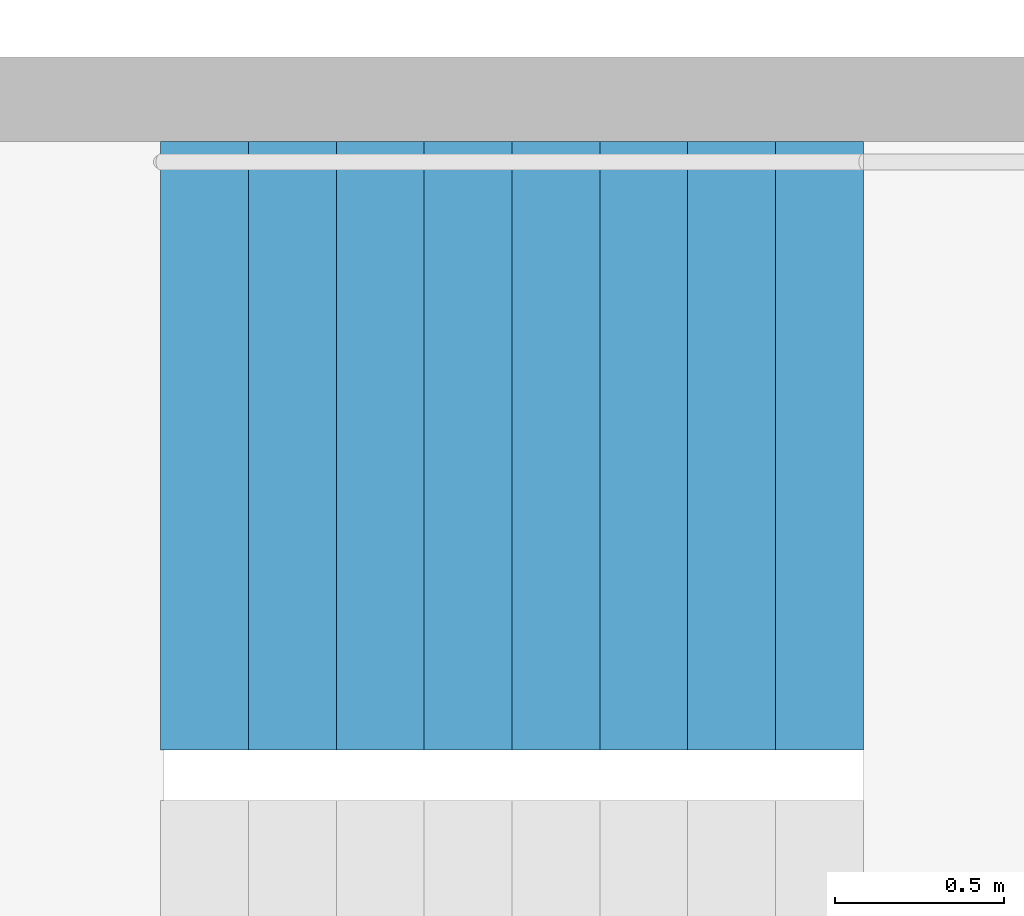
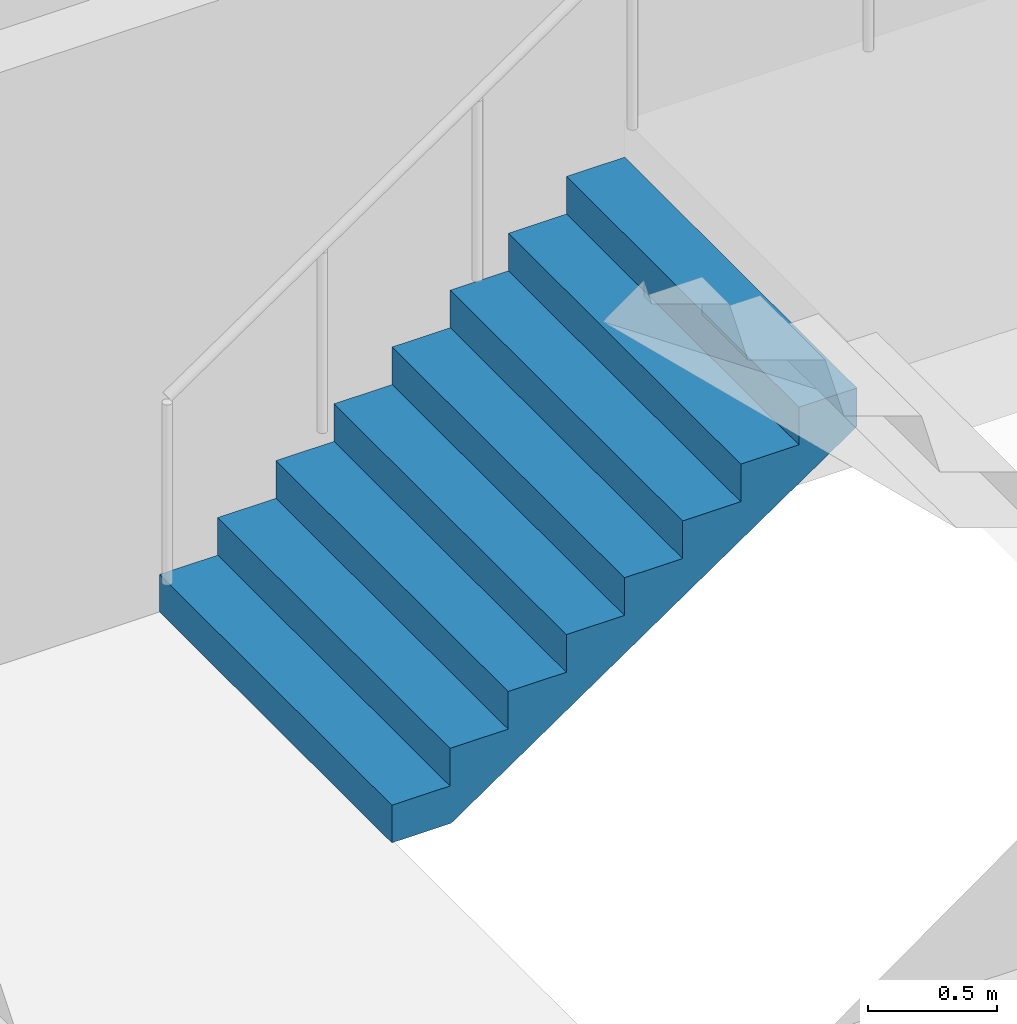
# One storey, part 26 of 36: 1 stair flight, 1 element without a shape of its own.
"""IFC4 building model written with IfcOpenShell, lengths in metres."""

from ifc_helpers import new_model, si_unit, direction, frame, origin, place, context, subcontext, project, spatial, triangles, material, type_object, element, aggregate, save


model = new_model("IFC4")

# Units and contexts
model_context = context("Model", 3, precision=1e-05, world=origin(), true_north=direction((0.0, 1.0)))
body_context = subcontext(model_context, "Body", "Model", "MODEL_VIEW")
ifc_project = project(units=[si_unit("LENGTHUNIT", "METRE"), si_unit("AREAUNIT", "SQUARE_METRE"), si_unit("VOLUMEUNIT", "CUBIC_METRE"), si_unit("PLANEANGLEUNIT", "RADIAN"), si_unit("MASSUNIT", "GRAM", prefix="KILO")], contexts=[model_context])

# Site, building, storey
site_placement = place(None, origin())
site = spatial("IfcSite", under=ifc_project, at=site_placement, CompositionType="ELEMENT")
building_placement = place(site_placement, origin())
building = spatial("IfcBuilding", under=site, at=building_placement, Name="Hakoniwa Tower and Hamabe Station Hall", CompositionType="ELEMENT")
storey_placement = place(building_placement, frame((0.0, 0.0, 26.199951171875)))
storey = spatial("IfcBuildingStorey", under=building, at=storey_placement, Name="L06", CompositionType="ELEMENT", Elevation=26.199951171875)

# Stair, stair flight
ifc_material_1 = material(Name="Concrete C40", Category="concrete")
stair_type = type_object("IfcStairType", Name="ESCAPE STAIR 1800", PredefinedType="HALF_TURN_STAIR", material=ifc_material_1)
stair_placement = place(storey_placement, origin())
stair = element("IfcStair", 1, at=stair_placement, inside=storey, type_object=stair_type, Name="Escape stair ST-4 L06", PredefinedType="HALF_TURN_STAIR")
ifc_material_2 = material(Name="Concrete C40", Category="concrete")
stair_flight_type = type_object("IfcStairFlightType", Name="STAIR FLIGHT 1800", PredefinedType="STRAIGHT", material=ifc_material_2)
stair_flight_placement = place(storey_placement, frame((23.39990234375, -4.64990234375, 0.0), z_axis=(0.0, 0.0, 1.0), x_axis=(1.0, 0.0, 0.0)))
stair_flight = element("IfcStairFlight", 2, at=stair_flight_placement, type_object=stair_flight_type, Name="ST-4 flight 1", NumberOfRisers=9, NumberOfTreads=8, PredefinedType="STRAIGHT", RiserHeight=0.177777778, TreadLength=0.26, context=body_context, shape_type="Tessellation", body=[
    triangles([(0.0, 0.89990234375, 0.0), (0.260009765625, 0.89990234375, 0.0), (0.265625, 0.89990234375, 0.0), (0.52001953125, 0.89990234375, 0.174072265625), (0.780029296875, 0.89990234375, 0.351806640625), (1.0400390625, 0.89990234375, 0.529541015625), (1.300048828125, 0.89990234375, 0.707275390625), (1.56005859375, 0.89990234375, 0.885009765625), (1.820068359375, 0.89990234375, 1.062744140625), (2.080078125, 0.89990234375, 1.24072265625), (2.080078125, 0.89990234375, 1.422119140625), (1.820068359375, 0.89990234375, 1.422119140625), (1.820068359375, 0.89990234375, 1.244384765625), (1.56005859375, 0.89990234375, 1.244384765625), (1.56005859375, 0.89990234375, 1.066650390625), (1.300048828125, 0.89990234375, 1.066650390625), (1.300048828125, 0.89990234375, 0.888916015625), (1.0400390625, 0.89990234375, 0.888916015625), (1.0400390625, 0.89990234375, 0.711181640625), (0.780029296875, 0.89990234375, 0.711181640625), (0.780029296875, 0.89990234375, 0.533447265625), (0.52001953125, 0.89990234375, 0.533447265625), (0.52001953125, 0.89990234375, 0.35546875), (0.265625, 0.89990234375, 0.35546875), (0.260009765625, 0.89990234375, 0.35546875), (0.260009765625, 0.89990234375, 0.177734375), (0.0, 0.89990234375, 0.177734375), (0.0, 0.06005859375, 0.0), (0.260009765625, 0.06005859375, 0.0), (0.265625, 0.06005859375, 0.0), (0.52001953125, 0.06005859375, 0.174072265625), (0.780029296875, 0.06005859375, 0.351806640625), (1.0400390625, 0.06005859375, 0.529541015625), (1.300048828125, 0.06005859375, 0.707275390625), (1.56005859375, 0.06005859375, 0.885009765625), (1.820068359375, 0.06005859375, 1.062744140625), (2.080078125, 0.06005859375, 1.24072265625), (2.080078125, 0.06005859375, 1.422119140625), (1.820068359375, 0.06005859375, 1.422119140625), (1.820068359375, 0.06005859375, 1.244384765625), (1.56005859375, 0.06005859375, 1.244384765625), (1.56005859375, 0.06005859375, 1.066650390625), (1.300048828125, 0.06005859375, 1.066650390625), (1.300048828125, 0.06005859375, 0.888916015625), (1.0400390625, 0.06005859375, 0.888916015625), (1.0400390625, 0.06005859375, 0.711181640625), (0.780029296875, 0.06005859375, 0.711181640625), (0.780029296875, 0.06005859375, 0.533447265625), (0.52001953125, 0.06005859375, 0.533447265625), (0.52001953125, 0.06005859375, 0.35546875), (0.265625, 0.06005859375, 0.35546875), (0.260009765625, 0.06005859375, 0.35546875), (0.260009765625, 0.06005859375, 0.177734375), (0.0, 0.06005859375, 0.177734375), (0.0, 0.04296875, 0.0), (0.260009765625, 0.04296875, 0.0), (0.265625, 0.04296875, 0.0), (0.52001953125, 0.04296875, 0.174072265625), (0.780029296875, 0.04296875, 0.351806640625), (1.0400390625, 0.04296875, 0.529541015625), (1.300048828125, 0.04296875, 0.707275390625), (1.56005859375, 0.04296875, 0.885009765625), (1.820068359375, 0.04296875, 1.062744140625), (2.080078125, 0.04296875, 1.24072265625), (2.080078125, 0.04296875, 1.422119140625), (1.820068359375, 0.04296875, 1.422119140625), (1.820068359375, 0.04296875, 1.244384765625), (1.56005859375, 0.04296875, 1.244384765625), (1.56005859375, 0.04296875, 1.066650390625), (1.300048828125, 0.04296875, 1.066650390625), (1.300048828125, 0.04296875, 0.888916015625), (1.0400390625, 0.04296875, 0.888916015625), (1.0400390625, 0.04296875, 0.711181640625), (0.780029296875, 0.04296875, 0.711181640625), (0.780029296875, 0.04296875, 0.533447265625), (0.52001953125, 0.04296875, 0.533447265625), (0.52001953125, 0.04296875, 0.35546875), (0.265625, 0.04296875, 0.35546875), (0.260009765625, 0.04296875, 0.35546875), (0.260009765625, 0.04296875, 0.177734375), (0.0, 0.04296875, 0.177734375), (0.0, 0.025634765625, 0.0), (0.260009765625, 0.025634765625, 0.0), (0.265625, 0.025634765625, 0.0), (0.52001953125, 0.025634765625, 0.174072265625), (0.780029296875, 0.025634765625, 0.351806640625), (1.0400390625, 0.025634765625, 0.529541015625), (1.300048828125, 0.025634765625, 0.707275390625), (1.56005859375, 0.025634765625, 0.885009765625), (1.820068359375, 0.025634765625, 1.062744140625), (2.080078125, 0.025634765625, 1.24072265625), (2.080078125, 0.025634765625, 1.422119140625), (1.820068359375, 0.025634765625, 1.422119140625), (1.820068359375, 0.025634765625, 1.244384765625), (1.56005859375, 0.025634765625, 1.244384765625), (1.56005859375, 0.025634765625, 1.066650390625), (1.300048828125, 0.025634765625, 1.066650390625), (1.300048828125, 0.025634765625, 0.888916015625), (1.0400390625, 0.025634765625, 0.888916015625), (1.0400390625, 0.025634765625, 0.711181640625), (0.780029296875, 0.025634765625, 0.711181640625), (0.780029296875, 0.025634765625, 0.533447265625), (0.52001953125, 0.025634765625, 0.533447265625), (0.52001953125, 0.025634765625, 0.35546875), (0.265625, 0.025634765625, 0.35546875), (0.260009765625, 0.025634765625, 0.35546875), (0.260009765625, 0.025634765625, 0.177734375), (0.0, 0.025634765625, 0.177734375), (0.0, 0.008544921875, 0.0), (0.260009765625, 0.008544921875, 0.0), (0.265625, 0.008544921875, 0.0), (0.52001953125, 0.008544921875, 0.174072265625), (0.780029296875, 0.008544921875, 0.351806640625), (1.0400390625, 0.008544921875, 0.529541015625), (1.300048828125, 0.008544921875, 0.707275390625), (1.56005859375, 0.008544921875, 0.885009765625), (1.820068359375, 0.008544921875, 1.062744140625), (2.080078125, 0.008544921875, 1.24072265625), (2.080078125, 0.008544921875, 1.422119140625), (1.820068359375, 0.008544921875, 1.422119140625), (1.820068359375, 0.008544921875, 1.244384765625), (1.56005859375, 0.008544921875, 1.244384765625), (1.56005859375, 0.008544921875, 1.066650390625), (1.300048828125, 0.008544921875, 1.066650390625), (1.300048828125, 0.008544921875, 0.888916015625), (1.0400390625, 0.008544921875, 0.888916015625), (1.0400390625, 0.008544921875, 0.711181640625), (0.780029296875, 0.008544921875, 0.711181640625), (0.780029296875, 0.008544921875, 0.533447265625), (0.52001953125, 0.008544921875, 0.533447265625), (0.52001953125, 0.008544921875, 0.35546875), (0.265625, 0.008544921875, 0.35546875), (0.260009765625, 0.008544921875, 0.35546875), (0.260009765625, 0.008544921875, 0.177734375), (0.0, 0.008544921875, 0.177734375), (0.0, -0.008544921875, 0.0), (0.260009765625, -0.008544921875, 0.0), (0.265625, -0.008544921875, 0.0), (0.52001953125, -0.008544921875, 0.174072265625), (0.780029296875, -0.008544921875, 0.351806640625), (1.0400390625, -0.008544921875, 0.529541015625), (1.300048828125, -0.008544921875, 0.707275390625), (1.56005859375, -0.008544921875, 0.885009765625), (1.820068359375, -0.008544921875, 1.062744140625), (2.080078125, -0.008544921875, 1.24072265625), (2.080078125, -0.008544921875, 1.422119140625), (1.820068359375, -0.008544921875, 1.422119140625), (1.820068359375, -0.008544921875, 1.244384765625), (1.56005859375, -0.008544921875, 1.244384765625), (1.56005859375, -0.008544921875, 1.066650390625), (1.300048828125, -0.008544921875, 1.066650390625), (1.300048828125, -0.008544921875, 0.888916015625), (1.0400390625, -0.008544921875, 0.888916015625), (1.0400390625, -0.008544921875, 0.711181640625), (0.780029296875, -0.008544921875, 0.711181640625), (0.780029296875, -0.008544921875, 0.533447265625), (0.52001953125, -0.008544921875, 0.533447265625), (0.52001953125, -0.008544921875, 0.35546875), (0.265625, -0.008544921875, 0.35546875), (0.260009765625, -0.008544921875, 0.35546875), (0.260009765625, -0.008544921875, 0.177734375), (0.0, -0.008544921875, 0.177734375), (0.0, -0.025634765625, 0.0), (0.260009765625, -0.025634765625, 0.0), (0.265625, -0.025634765625, 0.0), (0.52001953125, -0.025634765625, 0.174072265625), (0.780029296875, -0.025634765625, 0.351806640625), (1.0400390625, -0.025634765625, 0.529541015625), (1.300048828125, -0.025634765625, 0.707275390625), (1.56005859375, -0.025634765625, 0.885009765625), (1.820068359375, -0.025634765625, 1.062744140625), (2.080078125, -0.025634765625, 1.24072265625), (2.080078125, -0.025634765625, 1.422119140625), (1.820068359375, -0.025634765625, 1.422119140625), (1.820068359375, -0.025634765625, 1.244384765625), (1.56005859375, -0.025634765625, 1.244384765625), (1.56005859375, -0.025634765625, 1.066650390625), (1.300048828125, -0.025634765625, 1.066650390625), (1.300048828125, -0.025634765625, 0.888916015625), (1.0400390625, -0.025634765625, 0.888916015625), (1.0400390625, -0.025634765625, 0.711181640625), (0.780029296875, -0.025634765625, 0.711181640625), (0.780029296875, -0.025634765625, 0.533447265625), (0.52001953125, -0.025634765625, 0.533447265625), (0.52001953125, -0.025634765625, 0.35546875), (0.265625, -0.025634765625, 0.35546875), (0.260009765625, -0.025634765625, 0.35546875), (0.260009765625, -0.025634765625, 0.177734375), (0.0, -0.025634765625, 0.177734375), (0.0, -0.04296875, 0.0), (0.260009765625, -0.04296875, 0.0), (0.265625, -0.04296875, 0.0), (0.52001953125, -0.04296875, 0.174072265625), (0.780029296875, -0.04296875, 0.351806640625), (1.0400390625, -0.04296875, 0.529541015625), (1.300048828125, -0.04296875, 0.707275390625), (1.56005859375, -0.04296875, 0.885009765625), (1.820068359375, -0.04296875, 1.062744140625), (2.080078125, -0.04296875, 1.24072265625), (2.080078125, -0.04296875, 1.422119140625), (1.820068359375, -0.04296875, 1.422119140625), (1.820068359375, -0.04296875, 1.244384765625), (1.56005859375, -0.04296875, 1.244384765625), (1.56005859375, -0.04296875, 1.066650390625), (1.300048828125, -0.04296875, 1.066650390625), (1.300048828125, -0.04296875, 0.888916015625), (1.0400390625, -0.04296875, 0.888916015625), (1.0400390625, -0.04296875, 0.711181640625), (0.780029296875, -0.04296875, 0.711181640625), (0.780029296875, -0.04296875, 0.533447265625), (0.52001953125, -0.04296875, 0.533447265625), (0.52001953125, -0.04296875, 0.35546875), (0.265625, -0.04296875, 0.35546875), (0.260009765625, -0.04296875, 0.35546875), (0.260009765625, -0.04296875, 0.177734375), (0.0, -0.04296875, 0.177734375), (0.0, -0.06005859375, 0.0), (0.260009765625, -0.06005859375, 0.0), (0.265625, -0.06005859375, 0.0), (0.52001953125, -0.06005859375, 0.174072265625), (0.780029296875, -0.06005859375, 0.351806640625), (1.0400390625, -0.06005859375, 0.529541015625), (1.300048828125, -0.06005859375, 0.707275390625), (1.56005859375, -0.06005859375, 0.885009765625), (1.820068359375, -0.06005859375, 1.062744140625), (2.080078125, -0.06005859375, 1.24072265625), (2.080078125, -0.06005859375, 1.422119140625), (1.820068359375, -0.06005859375, 1.422119140625), (1.820068359375, -0.06005859375, 1.244384765625), (1.56005859375, -0.06005859375, 1.244384765625), (1.56005859375, -0.06005859375, 1.066650390625), (1.300048828125, -0.06005859375, 1.066650390625), (1.300048828125, -0.06005859375, 0.888916015625), (1.0400390625, -0.06005859375, 0.888916015625), (1.0400390625, -0.06005859375, 0.711181640625), (0.780029296875, -0.06005859375, 0.711181640625), (0.780029296875, -0.06005859375, 0.533447265625), (0.52001953125, -0.06005859375, 0.533447265625), (0.52001953125, -0.06005859375, 0.35546875), (0.265625, -0.06005859375, 0.35546875), (0.260009765625, -0.06005859375, 0.35546875), (0.260009765625, -0.06005859375, 0.177734375), (0.0, -0.06005859375, 0.177734375), (0.0, -0.89990234375, 0.0), (0.260009765625, -0.89990234375, 0.0), (0.265625, -0.89990234375, 0.0), (0.52001953125, -0.89990234375, 0.174072265625), (0.780029296875, -0.89990234375, 0.351806640625), (1.0400390625, -0.89990234375, 0.529541015625), (1.300048828125, -0.89990234375, 0.707275390625), (1.56005859375, -0.89990234375, 0.885009765625), (1.820068359375, -0.89990234375, 1.062744140625), (2.080078125, -0.89990234375, 1.24072265625), (2.080078125, -0.89990234375, 1.422119140625), (1.820068359375, -0.89990234375, 1.422119140625), (1.820068359375, -0.89990234375, 1.244384765625), (1.56005859375, -0.89990234375, 1.244384765625), (1.56005859375, -0.89990234375, 1.066650390625), (1.300048828125, -0.89990234375, 1.066650390625), (1.300048828125, -0.89990234375, 0.888916015625), (1.0400390625, -0.89990234375, 0.888916015625), (1.0400390625, -0.89990234375, 0.711181640625), (0.780029296875, -0.89990234375, 0.711181640625), (0.780029296875, -0.89990234375, 0.533447265625), (0.52001953125, -0.89990234375, 0.533447265625), (0.52001953125, -0.89990234375, 0.35546875), (0.265625, -0.89990234375, 0.35546875), (0.260009765625, -0.89990234375, 0.35546875), (0.260009765625, -0.89990234375, 0.177734375), (0.0, -0.89990234375, 0.177734375)], [[2, 27, 26], [245, 269, 270], [2, 1, 27], [245, 270, 244], [3, 25, 24], [246, 267, 268], [3, 26, 25], [246, 268, 269], [3, 2, 26], [246, 269, 245], [4, 24, 23], [247, 266, 267], [4, 3, 24], [247, 267, 246], [5, 22, 21], [248, 264, 265], [5, 23, 22], [248, 265, 266], [5, 4, 23], [248, 266, 247], [6, 20, 19], [249, 262, 263], [6, 21, 20], [249, 263, 264], [6, 5, 21], [249, 264, 248], [7, 18, 17], [250, 260, 261], [7, 19, 18], [250, 261, 262], [7, 6, 19], [250, 262, 249], [8, 16, 15], [251, 258, 259], [8, 17, 16], [251, 259, 260], [8, 7, 17], [251, 260, 250], [9, 14, 13], [252, 256, 257], [9, 15, 14], [252, 257, 258], [9, 8, 15], [252, 258, 251], [10, 12, 11], [253, 254, 255], [10, 13, 12], [253, 255, 256], [10, 9, 13], [253, 256, 252], [1, 2, 29], [1, 29, 28], [28, 29, 56], [28, 56, 55], [55, 56, 83], [55, 83, 82], [82, 83, 110], [82, 110, 109], [109, 110, 137], [109, 137, 136], [136, 137, 164], [136, 164, 163], [163, 164, 191], [163, 191, 190], [190, 191, 218], [190, 218, 217], [217, 218, 245], [217, 245, 244], [2, 3, 30], [2, 30, 29], [29, 30, 57], [29, 57, 56], [56, 57, 84], [56, 84, 83], [83, 84, 111], [83, 111, 110], [110, 111, 138], [110, 138, 137], [137, 138, 165], [137, 165, 164], [164, 165, 192], [164, 192, 191], [191, 192, 219], [191, 219, 218], [218, 219, 246], [218, 246, 245], [3, 4, 31], [3, 31, 30], [30, 31, 58], [30, 58, 57], [57, 58, 85], [57, 85, 84], [84, 85, 112], [84, 112, 111], [111, 112, 139], [111, 139, 138], [138, 139, 166], [138, 166, 165], [165, 166, 193], [165, 193, 192], [192, 193, 220], [192, 220, 219], [219, 220, 247], [219, 247, 246], [4, 5, 32], [4, 32, 31], [31, 32, 59], [31, 59, 58], [58, 59, 86], [58, 86, 85], [85, 86, 113], [85, 113, 112], [112, 113, 140], [112, 140, 139], [139, 140, 167], [139, 167, 166], [166, 167, 194], [166, 194, 193], [193, 194, 221], [193, 221, 220], [220, 221, 248], [220, 248, 247], [5, 6, 33], [5, 33, 32], [32, 33, 60], [32, 60, 59], [59, 60, 87], [59, 87, 86], [86, 87, 114], [86, 114, 113], [113, 114, 141], [113, 141, 140], [140, 141, 168], [140, 168, 167], [167, 168, 195], [167, 195, 194], [194, 195, 222], [194, 222, 221], [221, 222, 249], [221, 249, 248], [6, 7, 34], [6, 34, 33], [33, 34, 61], [33, 61, 60], [60, 61, 88], [60, 88, 87], [87, 88, 115], [87, 115, 114], [114, 115, 142], [114, 142, 141], [141, 142, 169], [141, 169, 168], [168, 169, 196], [168, 196, 195], [195, 196, 223], [195, 223, 222], [222, 223, 250], [222, 250, 249], [7, 8, 35], [7, 35, 34], [34, 35, 62], [34, 62, 61], [61, 62, 89], [61, 89, 88], [88, 89, 116], [88, 116, 115], [115, 116, 143], [115, 143, 142], [142, 143, 170], [142, 170, 169], [169, 170, 197], [169, 197, 196], [196, 197, 224], [196, 224, 223], [223, 224, 251], [223, 251, 250], [8, 9, 36], [8, 36, 35], [35, 36, 63], [35, 63, 62], [62, 63, 90], [62, 90, 89], [89, 90, 117], [89, 117, 116], [116, 117, 144], [116, 144, 143], [143, 144, 171], [143, 171, 170], [170, 171, 198], [170, 198, 197], [197, 198, 225], [197, 225, 224], [224, 225, 252], [224, 252, 251], [9, 10, 37], [9, 37, 36], [36, 37, 64], [36, 64, 63], [63, 64, 91], [63, 91, 90], [90, 91, 118], [90, 118, 117], [117, 118, 145], [117, 145, 144], [144, 145, 172], [144, 172, 171], [171, 172, 199], [171, 199, 198], [198, 199, 226], [198, 226, 225], [225, 226, 253], [225, 253, 252], [10, 11, 38], [10, 38, 37], [37, 38, 65], [37, 65, 64], [64, 65, 92], [64, 92, 91], [91, 92, 119], [91, 119, 118], [118, 119, 146], [118, 146, 145], [145, 146, 173], [145, 173, 172], [172, 173, 200], [172, 200, 199], [199, 200, 227], [199, 227, 226], [226, 227, 254], [226, 254, 253], [11, 12, 39], [11, 39, 38], [38, 39, 66], [38, 66, 65], [65, 66, 93], [65, 93, 92], [92, 93, 120], [92, 120, 119], [119, 120, 147], [119, 147, 146], [146, 147, 174], [146, 174, 173], [173, 174, 201], [173, 201, 200], [200, 201, 228], [200, 228, 227], [227, 228, 255], [227, 255, 254], [12, 13, 40], [12, 40, 39], [39, 40, 67], [39, 67, 66], [66, 67, 94], [66, 94, 93], [93, 94, 121], [93, 121, 120], [120, 121, 148], [120, 148, 147], [147, 148, 175], [147, 175, 174], [174, 175, 202], [174, 202, 201], [201, 202, 229], [201, 229, 228], [228, 229, 256], [228, 256, 255], [13, 14, 41], [13, 41, 40], [40, 41, 68], [40, 68, 67], [67, 68, 95], [67, 95, 94], [94, 95, 122], [94, 122, 121], [121, 122, 149], [121, 149, 148], [148, 149, 176], [148, 176, 175], [175, 176, 203], [175, 203, 202], [202, 203, 230], [202, 230, 229], [229, 230, 257], [229, 257, 256], [14, 15, 42], [14, 42, 41], [41, 42, 69], [41, 69, 68], [68, 69, 96], [68, 96, 95], [95, 96, 123], [95, 123, 122], [122, 123, 150], [122, 150, 149], [149, 150, 177], [149, 177, 176], [176, 177, 204], [176, 204, 203], [203, 204, 231], [203, 231, 230], [230, 231, 258], [230, 258, 257], [15, 16, 43], [15, 43, 42], [42, 43, 70], [42, 70, 69], [69, 70, 97], [69, 97, 96], [96, 97, 124], [96, 124, 123], [123, 124, 151], [123, 151, 150], [150, 151, 178], [150, 178, 177], [177, 178, 205], [177, 205, 204], [204, 205, 232], [204, 232, 231], [231, 232, 259], [231, 259, 258], [16, 17, 44], [16, 44, 43], [43, 44, 71], [43, 71, 70], [70, 71, 98], [70, 98, 97], [97, 98, 125], [97, 125, 124], [124, 125, 152], [124, 152, 151], [151, 152, 179], [151, 179, 178], [178, 179, 206], [178, 206, 205], [205, 206, 233], [205, 233, 232], [232, 233, 260], [232, 260, 259], [17, 18, 45], [17, 45, 44], [44, 45, 72], [44, 72, 71], [71, 72, 99], [71, 99, 98], [98, 99, 126], [98, 126, 125], [125, 126, 153], [125, 153, 152], [152, 153, 180], [152, 180, 179], [179, 180, 207], [179, 207, 206], [206, 207, 234], [206, 234, 233], [233, 234, 261], [233, 261, 260], [18, 19, 46], [18, 46, 45], [45, 46, 73], [45, 73, 72], [72, 73, 100], [72, 100, 99], [99, 100, 127], [99, 127, 126], [126, 127, 154], [126, 154, 153], [153, 154, 181], [153, 181, 180], [180, 181, 208], [180, 208, 207], [207, 208, 235], [207, 235, 234], [234, 235, 262], [234, 262, 261], [19, 20, 47], [19, 47, 46], [46, 47, 74], [46, 74, 73], [73, 74, 101], [73, 101, 100], [100, 101, 128], [100, 128, 127], [127, 128, 155], [127, 155, 154], [154, 155, 182], [154, 182, 181], [181, 182, 209], [181, 209, 208], [208, 209, 236], [208, 236, 235], [235, 236, 263], [235, 263, 262], [20, 21, 48], [20, 48, 47], [47, 48, 75], [47, 75, 74], [74, 75, 102], [74, 102, 101], [101, 102, 129], [101, 129, 128], [128, 129, 156], [128, 156, 155], [155, 156, 183], [155, 183, 182], [182, 183, 210], [182, 210, 209], [209, 210, 237], [209, 237, 236], [236, 237, 264], [236, 264, 263], [21, 22, 49], [21, 49, 48], [48, 49, 76], [48, 76, 75], [75, 76, 103], [75, 103, 102], [102, 103, 130], [102, 130, 129], [129, 130, 157], [129, 157, 156], [156, 157, 184], [156, 184, 183], [183, 184, 211], [183, 211, 210], [210, 211, 238], [210, 238, 237], [237, 238, 265], [237, 265, 264], [22, 23, 50], [22, 50, 49], [49, 50, 77], [49, 77, 76], [76, 77, 104], [76, 104, 103], [103, 104, 131], [103, 131, 130], [130, 131, 158], [130, 158, 157], [157, 158, 185], [157, 185, 184], [184, 185, 212], [184, 212, 211], [211, 212, 239], [211, 239, 238], [238, 239, 266], [238, 266, 265], [23, 24, 51], [23, 51, 50], [50, 51, 78], [50, 78, 77], [77, 78, 105], [77, 105, 104], [104, 105, 132], [104, 132, 131], [131, 132, 159], [131, 159, 158], [158, 159, 186], [158, 186, 185], [185, 186, 213], [185, 213, 212], [212, 213, 240], [212, 240, 239], [239, 240, 267], [239, 267, 266], [24, 25, 52], [24, 52, 51], [51, 52, 79], [51, 79, 78], [78, 79, 106], [78, 106, 105], [105, 106, 133], [105, 133, 132], [132, 133, 160], [132, 160, 159], [159, 160, 187], [159, 187, 186], [186, 187, 214], [186, 214, 213], [213, 214, 241], [213, 241, 240], [240, 241, 268], [240, 268, 267], [25, 26, 53], [25, 53, 52], [52, 53, 80], [52, 80, 79], [79, 80, 107], [79, 107, 106], [106, 107, 134], [106, 134, 133], [133, 134, 161], [133, 161, 160], [160, 161, 188], [160, 188, 187], [187, 188, 215], [187, 215, 214], [214, 215, 242], [214, 242, 241], [241, 242, 269], [241, 269, 268], [26, 27, 54], [26, 54, 53], [53, 54, 81], [53, 81, 80], [80, 81, 108], [80, 108, 107], [107, 108, 135], [107, 135, 134], [134, 135, 162], [134, 162, 161], [161, 162, 189], [161, 189, 188], [188, 189, 216], [188, 216, 215], [215, 216, 243], [215, 243, 242], [242, 243, 270], [242, 270, 269], [27, 1, 28], [27, 28, 54], [54, 28, 55], [54, 55, 81], [81, 55, 82], [81, 82, 108], [108, 82, 109], [108, 109, 135], [135, 109, 136], [135, 136, 162], [162, 136, 163], [162, 163, 189], [189, 163, 190], [189, 190, 216], [216, 190, 217], [216, 217, 243], [243, 217, 244], [243, 244, 270]], closed=True),
])
aggregate(stair, [stair_flight])

save(model, "model.ifc")
